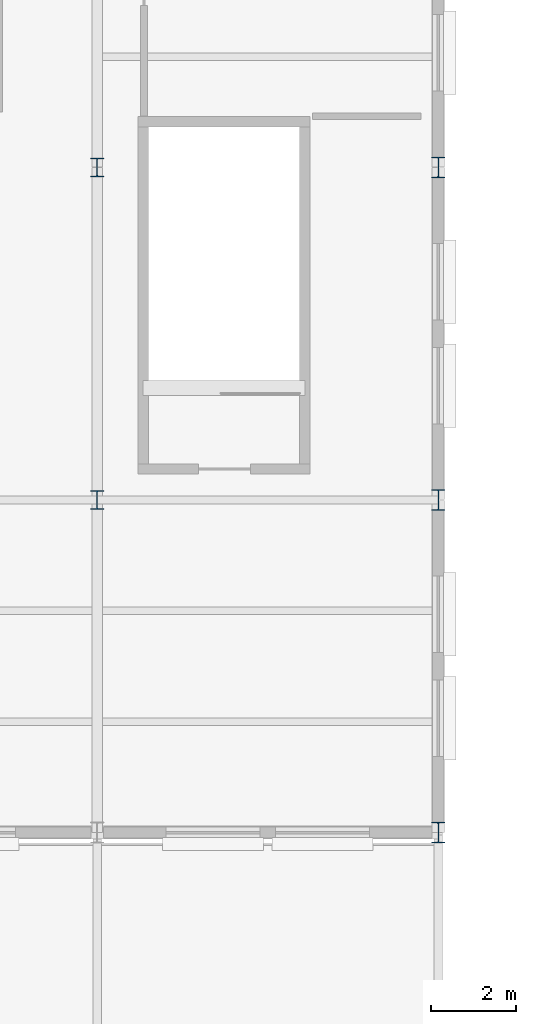
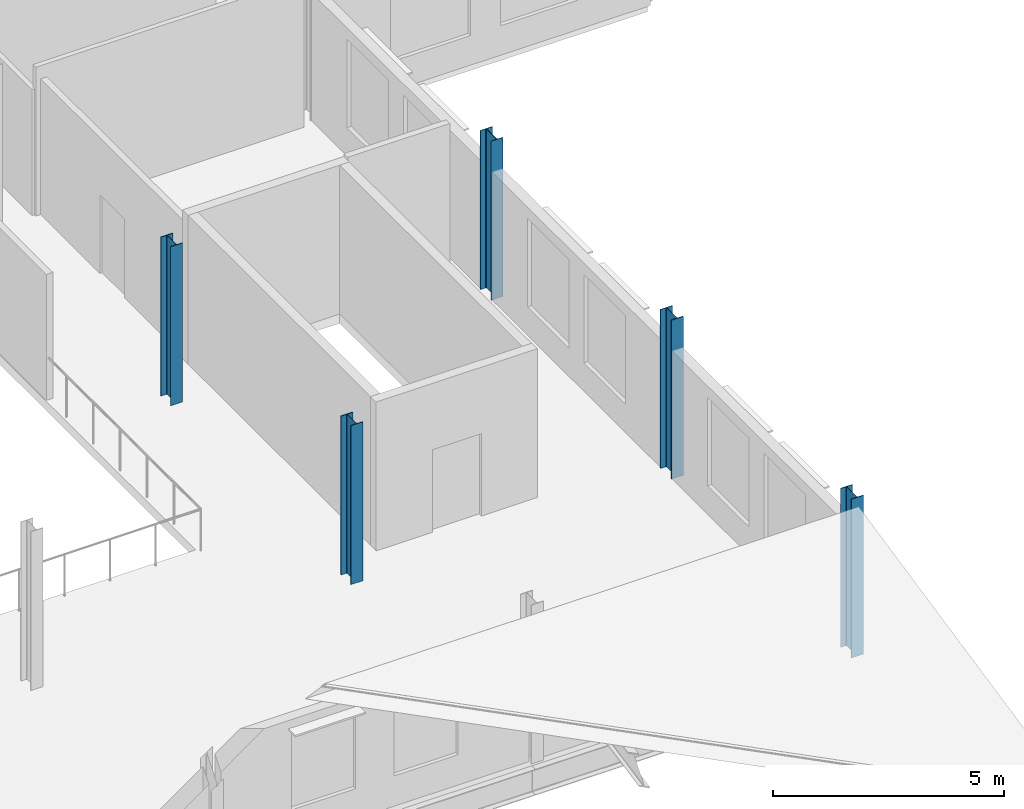
# One storey, part 4 of 45: 5 columns.
"""IFC4 building model written with IfcOpenShell, lengths in metres."""

from ifc_helpers import new_model, si_unit, direction, frame, origin, origin_2d, place, context, subcontext, project, spatial, i_section, extrude, material, material_profile, profile_set, type_object, element, save


model = new_model("IFC4")

# Units and contexts
model_context = context("Model", 3, precision=1e-05, world=origin(), true_north=direction((0.0, 1.0)))
body_context = subcontext(model_context, "Body", "Model", "MODEL_VIEW")
ifc_project = project(units=[si_unit("LENGTHUNIT", "METRE"), si_unit("AREAUNIT", "SQUARE_METRE"), si_unit("VOLUMEUNIT", "CUBIC_METRE"), si_unit("PLANEANGLEUNIT", "RADIAN"), si_unit("MASSUNIT", "GRAM", prefix="KILO")], contexts=[model_context])

# Site, building, storey
site_placement = place(None, origin())
site = spatial("IfcSite", under=ifc_project, at=site_placement, CompositionType="ELEMENT")
building_placement = place(site_placement, origin())
building = spatial("IfcBuilding", under=site, at=building_placement, Name="Yukiwa Park Conservatory and Herbarium", CompositionType="ELEMENT")
storey_placement = place(building_placement, frame((0.0, 0.0, 9.0)))
storey = spatial("IfcBuildingStorey", under=building, at=storey_placement, Name="L02", CompositionType="ELEMENT", Elevation=9.0)

# Columns
ifc_material_1 = material(Name="Steel Q355D", Category="steel")
ifc_material_profile_1 = material_profile(ifc_material_1, i_section(OverallWidth=0.300048828125, OverallDepth=0.43994140625, WebThickness=0.010986328125, FlangeThickness=0.01806640625, FilletRadius=0.02392578125, at=origin_2d()), Name="HM 440x300x11x18")
ifc_profile_set_1 = profile_set([ifc_material_profile_1], Name="Steel Q355D")
column_type_1 = type_object("IfcColumnType", Name="COL-VS-HM440", PredefinedType="COLUMN", material=ifc_profile_set_1)
for number, where, z_axis, x_axis, name in (
    (1, (100.0, 54.60009765625, 0.0), (0.0, 0.0, 1.0), (1.0, 0.0, 0.0), "L02 column V3-X1000-Y546"),
    (2, (100.0, 62.39990234375, 0.0), (0.0, 0.0, 1.0), (1.0, 0.0, 0.0), "L02 column V3-X1000-Y624"),
):
    element("IfcColumn", number, at=place(storey_placement, frame(where, z_axis=z_axis, x_axis=x_axis)), inside=storey, type_object=column_type_1, Name=name, PredefinedType="COLUMN", context=body_context, shape_type="SweptSolid", body=[
        extrude(i_section(OverallWidth=0.300048828125, OverallDepth=0.43994140625, WebThickness=0.010986328125, FlangeThickness=0.01806640625, FilletRadius=0.02392578125, at=origin_2d()), origin(), (0.0, 0.0, 1.0), 4.199951171875),
    ])
ifc_material_2 = material(Name="Steel Q355D", Category="steel")
ifc_material_profile_2 = material_profile(ifc_material_2, i_section(OverallWidth=0.300048828125, OverallDepth=0.48193359375, WebThickness=0.010986328125, FlangeThickness=0.014892578125, FilletRadius=0.02392578125, at=origin_2d()), Name="HM 482x300x11x15")
ifc_profile_set_2 = profile_set([ifc_material_profile_2], Name="Steel Q355D")
column_type_2 = type_object("IfcColumnType", Name="COL-VS-HM482-EXT", PredefinedType="COLUMN", material=ifc_profile_set_2)
for number, where, z_axis, x_axis, name in (
    (3, (108.0, 46.800048828125, 0.0), (0.0, 0.0, 1.0), (1.0, 0.0, 0.0), "L02 column V3-X1080-Y468"),
    (4, (108.0, 54.60009765625, 0.0), (0.0, 0.0, 1.0), (1.0, 0.0, 0.0), "L02 column V3-X1080-Y546"),
    (5, (108.0, 62.39990234375, 0.0), (0.0, 0.0, 1.0), (1.0, 0.0, 0.0), "L02 column V3-X1080-Y624"),
):
    element("IfcColumn", number, at=place(storey_placement, frame(where, z_axis=z_axis, x_axis=x_axis)), inside=storey, type_object=column_type_2, Name=name, PredefinedType="COLUMN", context=body_context, shape_type="SweptSolid", body=[
        extrude(i_section(OverallWidth=0.300048828125, OverallDepth=0.48193359375, WebThickness=0.010986328125, FlangeThickness=0.014892578125, FilletRadius=0.02392578125, at=origin_2d()), origin(), (0.0, 0.0, 1.0), 4.199951171875),
    ])

save(model, "model.ifc")
